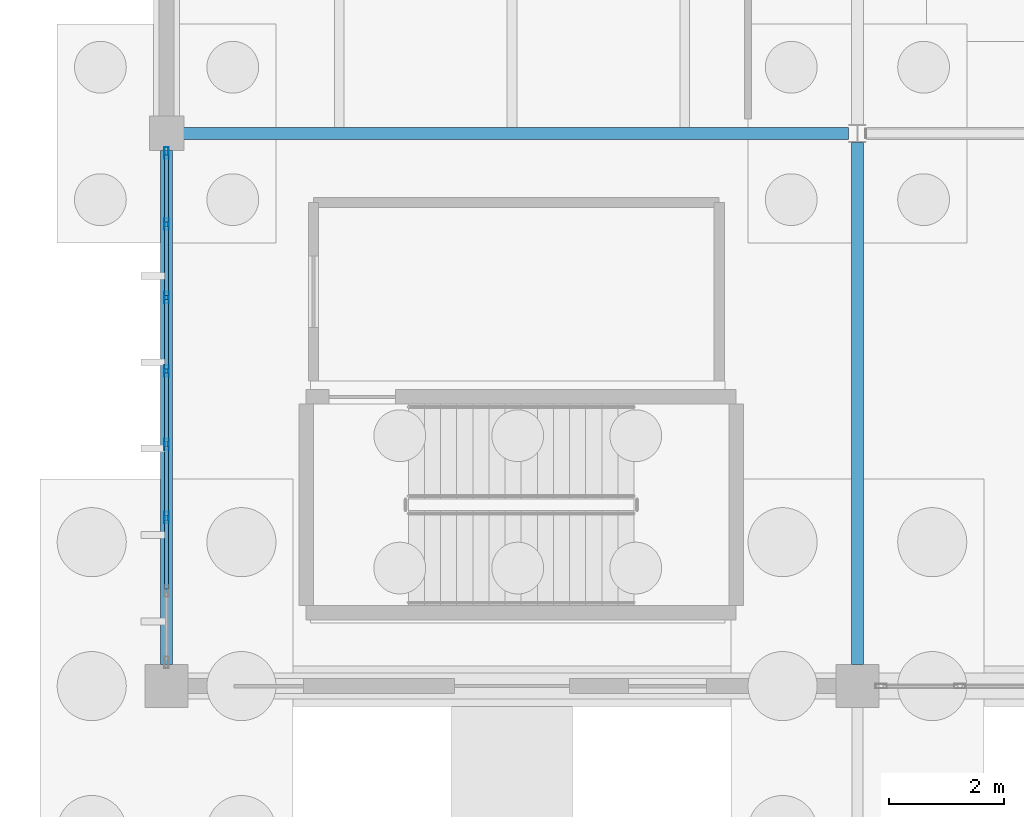
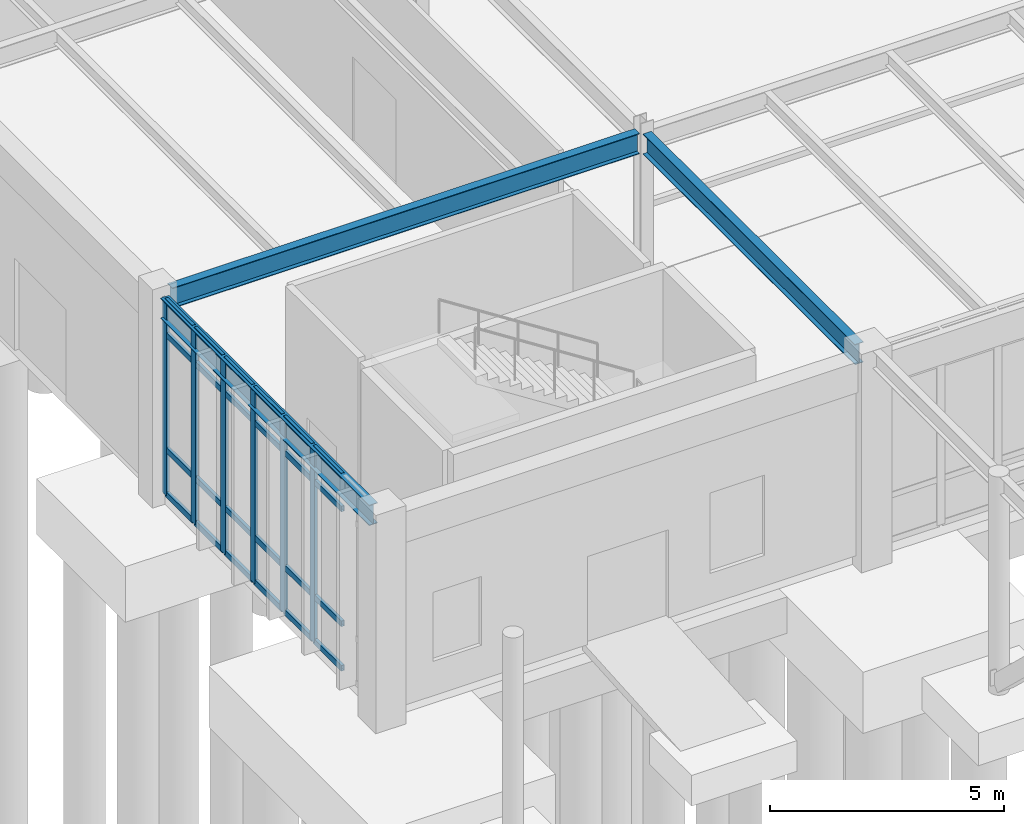
# One storey, part 48 of 188: 30 members, 3 beams, 1 element without a shape of its own.
"""IFC4 building model written with IfcOpenShell, lengths in metres."""

from ifc_helpers import new_model, si_unit, direction, frame, origin, origin_2d, place, context, subcontext, project, spatial, hollow_rectangle, i_section, extrude, material, layer, layer_set, material_profile, profile_set, type_object, element, aggregate, save


model = new_model("IFC4")

# Units and contexts
model_context = context("Model", 3, precision=1e-05, world=origin(), true_north=direction((0.0, 1.0)))
body_context = subcontext(model_context, "Body", "Model", "MODEL_VIEW")
ifc_project = project(units=[si_unit("LENGTHUNIT", "METRE"), si_unit("AREAUNIT", "SQUARE_METRE"), si_unit("VOLUMEUNIT", "CUBIC_METRE"), si_unit("PLANEANGLEUNIT", "RADIAN"), si_unit("MASSUNIT", "GRAM", prefix="KILO")], contexts=[model_context])

# Site, building, storey
site_placement = place(None, origin())
site = spatial("IfcSite", under=ifc_project, at=site_placement, CompositionType="ELEMENT")
building_placement = place(site_placement, origin())
building = spatial("IfcBuilding", under=site, at=building_placement, Name="Pandanus Reach Market Hall", CompositionType="ELEMENT")
storey_placement = place(building_placement, origin())
storey = spatial("IfcBuildingStorey", under=building, at=storey_placement, Name="L00", CompositionType="ELEMENT", Elevation=0.0)

# Beams
ifc_material_1 = material(Name="Steel Grade 350 (350 MPa)", Category="steel")
ifc_material_profile_1 = material_profile(ifc_material_1, i_section(OverallWidth=0.208984375, OverallDepth=0.532958984375, WebThickness=0.01025390625, FlangeThickness=0.015625, at=origin_2d()), Name="530UB92.4", Category="LoadBearing")
ifc_profile_set_1 = profile_set([ifc_material_profile_1], Name="Steel Grade 350 (350 MPa)")
beam_type = type_object("IfcBeamType", Name="BM-UB530-I", PredefinedType="BEAM", material=ifc_profile_set_1)
beam_1_placement = place(storey_placement, frame((48.298095703125, 38.39990234375, 4.85302734375), z_axis=(1.0, 0.0, 0.0), x_axis=(0.0, 1.0, 0.0)))
element("IfcBeam", 1, at=beam_1_placement, inside=storey, type_object=beam_type, Name="Framing beam BM-UB530-I L00.1045", PredefinedType="BEAM", context=body_context, shape_type="SweptSolid", body=[
    extrude(i_section(OverallWidth=0.208984375, OverallDepth=0.532958984375, WebThickness=0.01025390625, FlangeThickness=0.015625, at=origin_2d()), origin(), (0.0, 0.0, 1.0), 11.54638671875),
])
beam_2_placement = place(storey_placement, frame((48.0, 29.173095703125, 4.85302734375), z_axis=(0.0, 1.0, 0.0), x_axis=(-1.0, 0.0, 0.0)))
element("IfcBeam", 2, at=beam_2_placement, inside=storey, type_object=beam_type, Name="Framing beam BM-UB530-I L00.1066", PredefinedType="BEAM", context=body_context, shape_type="SweptSolid", body=[
    extrude(i_section(OverallWidth=0.208984375, OverallDepth=0.532958984375, WebThickness=0.01025390625, FlangeThickness=0.015625, at=origin_2d()), origin(), (0.0, 0.0, 1.0), 8.928955078125),
])
beam_3_placement = place(storey_placement, frame((60.0, 29.173095703125, 4.85302734375), z_axis=(0.0, 1.0, 0.0), x_axis=(-1.0, 0.0, 0.0)))
element("IfcBeam", 3, at=beam_3_placement, inside=storey, type_object=beam_type, Name="Framing beam BM-UB530-I L00.1068", PredefinedType="BEAM", context=body_context, shape_type="SweptSolid", body=[
    extrude(i_section(OverallWidth=0.208984375, OverallDepth=0.532958984375, WebThickness=0.01025390625, FlangeThickness=0.015625, at=origin_2d()), origin(), (0.0, 0.0, 1.0), 9.0712890625),
])

# Curtain wall, members
ifc_material_2 = material(Name="Bronze anodised aluminium and low-E glass", Category="aluminium")
ifc_layer = layer(ifc_material_2, 0.199951171875, Name="CW-03")
ifc_layer_set = layer_set([ifc_layer], Name="Bronze anodised aluminium and low-E glass")
curtain_wall_type = type_object("IfcCurtainWallType", Name="CW-03", PredefinedType="NOTDEFINED", material=ifc_layer_set)
curtain_wall_placement = place(storey_placement, origin())
curtain_wall = element("IfcCurtainWall", 4, at=curtain_wall_placement, inside=storey, type_object=curtain_wall_type, Name="Glazed curtain wall CW-03 CW-0018", PredefinedType="NOTDEFINED")
ifc_material_3 = material(Name="Bronze anodised aluminium", Category="aluminium")
ifc_material_profile_2 = material_profile(ifc_material_3, hollow_rectangle(XDim=0.074951171875, YDim=0.199951171875, WallThickness=0.00439453125, at=origin_2d()), Name="ALU75x200", Category="LoadBearing")
ifc_profile_set_2 = profile_set([ifc_material_profile_2], Name="Bronze anodised aluminium")
member_type_1 = type_object("IfcMemberType", Name="CW-M2", PredefinedType="MULLION", material=ifc_profile_set_2)
member_1_placement = place(storey_placement, frame((48.0, 31.72509765625, 0.0), z_axis=(0.0, 0.0, 1.0), x_axis=(-1.0, 0.0, 0.0)))
member_1 = element("IfcMember", 5, at=member_1_placement, type_object=member_type_1, Name="CW-03 mullion 3", PredefinedType="MULLION", context=body_context, shape_type="SweptSolid", body=[
    extrude(hollow_rectangle(XDim=0.074951171875, YDim=0.199951171875, WallThickness=0.00439453125, at=origin_2d()), origin(), (0.0, 0.0, 1.0), 5.10009765625),
])
member_2_placement = place(storey_placement, frame((48.0, 33.0, 0.0), z_axis=(0.0, 0.0, 1.0), x_axis=(-1.0, 0.0, 0.0)))
member_2 = element("IfcMember", 6, at=member_2_placement, type_object=member_type_1, Name="CW-03 mullion 4", PredefinedType="MULLION", context=body_context, shape_type="SweptSolid", body=[
    extrude(hollow_rectangle(XDim=0.074951171875, YDim=0.199951171875, WallThickness=0.00439453125, at=origin_2d()), origin(), (0.0, 0.0, 1.0), 5.10009765625),
])
member_3_placement = place(storey_placement, frame((48.0, 34.27490234375, 0.0), z_axis=(0.0, 0.0, 1.0), x_axis=(-1.0, 0.0, 0.0)))
member_3 = element("IfcMember", 7, at=member_3_placement, type_object=member_type_1, Name="CW-03 mullion 5", PredefinedType="MULLION", context=body_context, shape_type="SweptSolid", body=[
    extrude(hollow_rectangle(XDim=0.074951171875, YDim=0.199951171875, WallThickness=0.00439453125, at=origin_2d()), origin(), (0.0, 0.0, 1.0), 5.10009765625),
])
member_4_placement = place(storey_placement, frame((48.0, 35.550048828125, 0.0), z_axis=(0.0, 0.0, 1.0), x_axis=(-1.0, 0.0, 0.0)))
member_4 = element("IfcMember", 8, at=member_4_placement, type_object=member_type_1, Name="CW-03 mullion 6", PredefinedType="MULLION", context=body_context, shape_type="SweptSolid", body=[
    extrude(hollow_rectangle(XDim=0.074951171875, YDim=0.199951171875, WallThickness=0.00439453125, at=origin_2d()), origin(), (0.0, 0.0, 1.0), 5.10009765625),
])
member_5_placement = place(storey_placement, frame((48.0, 36.824951171875, 0.0), z_axis=(0.0, 0.0, 1.0), x_axis=(-1.0, 0.0, 0.0)))
member_5 = element("IfcMember", 9, at=member_5_placement, type_object=member_type_1, Name="CW-03 mullion 7", PredefinedType="MULLION", context=body_context, shape_type="SweptSolid", body=[
    extrude(hollow_rectangle(XDim=0.074951171875, YDim=0.199951171875, WallThickness=0.00439453125, at=origin_2d()), origin(), (0.0, 0.0, 1.0), 5.10009765625),
])
member_6_placement = place(storey_placement, frame((48.0, 38.0625, 0.0), z_axis=(0.0, 0.0, 1.0), x_axis=(-1.0, 0.0, 0.0)))
member_6 = element("IfcMember", 10, at=member_6_placement, type_object=member_type_1, Name="CW-03 mullion 8", PredefinedType="MULLION", context=body_context, shape_type="SweptSolid", body=[
    extrude(hollow_rectangle(XDim=0.074951171875, YDim=0.199951171875, WallThickness=0.00439453125, at=origin_2d()), origin(), (0.0, 0.0, 1.0), 5.10009765625),
])
ifc_material_profile_3 = material_profile(ifc_material_3, hollow_rectangle(XDim=0.074951171875, YDim=0.14990234375, WallThickness=0.00439453125, at=origin_2d()), Name="ALU75x150", Category="LoadBearing")
ifc_profile_set_3 = profile_set([ifc_material_profile_3], Name="Bronze anodised aluminium")
member_type_2 = type_object("IfcMemberType", Name="CW-T2", PredefinedType="USERDEFINED", material=ifc_profile_set_3)
member_7_placement = place(storey_placement, frame((48.0, 30.487548828125, 0.03759765625), z_axis=(0.0, 1.0, 0.0), x_axis=(-1.0, 0.0, 0.0)))
member_7 = element("IfcMember", 11, at=member_7_placement, type_object=member_type_2, Name="CW-03 transom 2.1", ObjectType="TRANSOM", PredefinedType="USERDEFINED", context=body_context, shape_type="SweptSolid", body=[
    extrude(hollow_rectangle(XDim=0.074951171875, YDim=0.14990234375, WallThickness=0.00439453125, at=origin_2d()), origin(), (0.0, 0.0, 1.0), 1.199951171875),
])
member_8_placement = place(storey_placement, frame((48.0, 30.487548828125, 1.199951171875), z_axis=(0.0, 1.0, 0.0), x_axis=(-1.0, 0.0, 0.0)))
member_8 = element("IfcMember", 12, at=member_8_placement, type_object=member_type_2, Name="CW-03 transom 2.2", ObjectType="TRANSOM", PredefinedType="USERDEFINED", context=body_context, shape_type="SweptSolid", body=[
    extrude(hollow_rectangle(XDim=0.074951171875, YDim=0.14990234375, WallThickness=0.00439453125, at=origin_2d()), origin(), (0.0, 0.0, 1.0), 1.199951171875),
])
member_9_placement = place(storey_placement, frame((48.0, 30.487548828125, 4.199951171875), z_axis=(0.0, 1.0, 0.0), x_axis=(-1.0, 0.0, 0.0)))
member_9 = element("IfcMember", 13, at=member_9_placement, type_object=member_type_2, Name="CW-03 transom 2.3", ObjectType="TRANSOM", PredefinedType="USERDEFINED", context=body_context, shape_type="SweptSolid", body=[
    extrude(hollow_rectangle(XDim=0.074951171875, YDim=0.14990234375, WallThickness=0.00439453125, at=origin_2d()), origin(), (0.0, 0.0, 1.0), 1.199951171875),
])
member_10_placement = place(storey_placement, frame((48.0, 30.487548828125, 5.0625), z_axis=(0.0, 1.0, 0.0), x_axis=(-1.0, 0.0, 0.0)))
member_10 = element("IfcMember", 14, at=member_10_placement, type_object=member_type_2, Name="CW-03 transom 2.4", ObjectType="TRANSOM", PredefinedType="USERDEFINED", context=body_context, shape_type="SweptSolid", body=[
    extrude(hollow_rectangle(XDim=0.074951171875, YDim=0.14990234375, WallThickness=0.00439453125, at=origin_2d()), origin(), (0.0, 0.0, 1.0), 1.199951171875),
])
member_11_placement = place(storey_placement, frame((48.0, 31.762451171875, 0.03759765625), z_axis=(0.0, 1.0, 0.0), x_axis=(-1.0, 0.0, 0.0)))
member_11 = element("IfcMember", 15, at=member_11_placement, type_object=member_type_2, Name="CW-03 transom 3.1", ObjectType="TRANSOM", PredefinedType="USERDEFINED", context=body_context, shape_type="SweptSolid", body=[
    extrude(hollow_rectangle(XDim=0.074951171875, YDim=0.14990234375, WallThickness=0.00439453125, at=origin_2d()), origin(), (0.0, 0.0, 1.0), 1.199951171875),
])
member_12_placement = place(storey_placement, frame((48.0, 31.762451171875, 1.199951171875), z_axis=(0.0, 1.0, 0.0), x_axis=(-1.0, 0.0, 0.0)))
member_12 = element("IfcMember", 16, at=member_12_placement, type_object=member_type_2, Name="CW-03 transom 3.2", ObjectType="TRANSOM", PredefinedType="USERDEFINED", context=body_context, shape_type="SweptSolid", body=[
    extrude(hollow_rectangle(XDim=0.074951171875, YDim=0.14990234375, WallThickness=0.00439453125, at=origin_2d()), origin(), (0.0, 0.0, 1.0), 1.199951171875),
])
member_13_placement = place(storey_placement, frame((48.0, 31.762451171875, 4.199951171875), z_axis=(0.0, 1.0, 0.0), x_axis=(-1.0, 0.0, 0.0)))
member_13 = element("IfcMember", 17, at=member_13_placement, type_object=member_type_2, Name="CW-03 transom 3.3", ObjectType="TRANSOM", PredefinedType="USERDEFINED", context=body_context, shape_type="SweptSolid", body=[
    extrude(hollow_rectangle(XDim=0.074951171875, YDim=0.14990234375, WallThickness=0.00439453125, at=origin_2d()), origin(), (0.0, 0.0, 1.0), 1.199951171875),
])
member_14_placement = place(storey_placement, frame((48.0, 31.762451171875, 5.0625), z_axis=(0.0, 1.0, 0.0), x_axis=(-1.0, 0.0, 0.0)))
member_14 = element("IfcMember", 18, at=member_14_placement, type_object=member_type_2, Name="CW-03 transom 3.4", ObjectType="TRANSOM", PredefinedType="USERDEFINED", context=body_context, shape_type="SweptSolid", body=[
    extrude(hollow_rectangle(XDim=0.074951171875, YDim=0.14990234375, WallThickness=0.00439453125, at=origin_2d()), origin(), (0.0, 0.0, 1.0), 1.199951171875),
])
member_15_placement = place(storey_placement, frame((48.0, 33.03759765625, 0.03759765625), z_axis=(0.0, 1.0, 0.0), x_axis=(-1.0, 0.0, 0.0)))
member_15 = element("IfcMember", 19, at=member_15_placement, type_object=member_type_2, Name="CW-03 transom 4.1", ObjectType="TRANSOM", PredefinedType="USERDEFINED", context=body_context, shape_type="SweptSolid", body=[
    extrude(hollow_rectangle(XDim=0.074951171875, YDim=0.14990234375, WallThickness=0.00439453125, at=origin_2d()), origin(), (0.0, 0.0, 1.0), 1.199951171875),
])
member_16_placement = place(storey_placement, frame((48.0, 33.03759765625, 1.199951171875), z_axis=(0.0, 1.0, 0.0), x_axis=(-1.0, 0.0, 0.0)))
member_16 = element("IfcMember", 20, at=member_16_placement, type_object=member_type_2, Name="CW-03 transom 4.2", ObjectType="TRANSOM", PredefinedType="USERDEFINED", context=body_context, shape_type="SweptSolid", body=[
    extrude(hollow_rectangle(XDim=0.074951171875, YDim=0.14990234375, WallThickness=0.00439453125, at=origin_2d()), origin(), (0.0, 0.0, 1.0), 1.199951171875),
])
member_17_placement = place(storey_placement, frame((48.0, 33.03759765625, 4.199951171875), z_axis=(0.0, 1.0, 0.0), x_axis=(-1.0, 0.0, 0.0)))
member_17 = element("IfcMember", 21, at=member_17_placement, type_object=member_type_2, Name="CW-03 transom 4.3", ObjectType="TRANSOM", PredefinedType="USERDEFINED", context=body_context, shape_type="SweptSolid", body=[
    extrude(hollow_rectangle(XDim=0.074951171875, YDim=0.14990234375, WallThickness=0.00439453125, at=origin_2d()), origin(), (0.0, 0.0, 1.0), 1.199951171875),
])
member_18_placement = place(storey_placement, frame((48.0, 33.03759765625, 5.0625), z_axis=(0.0, 1.0, 0.0), x_axis=(-1.0, 0.0, 0.0)))
member_18 = element("IfcMember", 22, at=member_18_placement, type_object=member_type_2, Name="CW-03 transom 4.4", ObjectType="TRANSOM", PredefinedType="USERDEFINED", context=body_context, shape_type="SweptSolid", body=[
    extrude(hollow_rectangle(XDim=0.074951171875, YDim=0.14990234375, WallThickness=0.00439453125, at=origin_2d()), origin(), (0.0, 0.0, 1.0), 1.199951171875),
])
member_19_placement = place(storey_placement, frame((48.0, 34.3125, 0.03759765625), z_axis=(0.0, 1.0, 0.0), x_axis=(-1.0, 0.0, 0.0)))
member_19 = element("IfcMember", 23, at=member_19_placement, type_object=member_type_2, Name="CW-03 transom 5.1", ObjectType="TRANSOM", PredefinedType="USERDEFINED", context=body_context, shape_type="SweptSolid", body=[
    extrude(hollow_rectangle(XDim=0.074951171875, YDim=0.14990234375, WallThickness=0.00439453125, at=origin_2d()), origin(), (0.0, 0.0, 1.0), 1.199951171875),
])
member_20_placement = place(storey_placement, frame((48.0, 34.3125, 1.199951171875), z_axis=(0.0, 1.0, 0.0), x_axis=(-1.0, 0.0, 0.0)))
member_20 = element("IfcMember", 24, at=member_20_placement, type_object=member_type_2, Name="CW-03 transom 5.2", ObjectType="TRANSOM", PredefinedType="USERDEFINED", context=body_context, shape_type="SweptSolid", body=[
    extrude(hollow_rectangle(XDim=0.074951171875, YDim=0.14990234375, WallThickness=0.00439453125, at=origin_2d()), origin(), (0.0, 0.0, 1.0), 1.199951171875),
])
member_21_placement = place(storey_placement, frame((48.0, 34.3125, 4.199951171875), z_axis=(0.0, 1.0, 0.0), x_axis=(-1.0, 0.0, 0.0)))
member_21 = element("IfcMember", 25, at=member_21_placement, type_object=member_type_2, Name="CW-03 transom 5.3", ObjectType="TRANSOM", PredefinedType="USERDEFINED", context=body_context, shape_type="SweptSolid", body=[
    extrude(hollow_rectangle(XDim=0.074951171875, YDim=0.14990234375, WallThickness=0.00439453125, at=origin_2d()), origin(), (0.0, 0.0, 1.0), 1.199951171875),
])
member_22_placement = place(storey_placement, frame((48.0, 34.3125, 5.0625), z_axis=(0.0, 1.0, 0.0), x_axis=(-1.0, 0.0, 0.0)))
member_22 = element("IfcMember", 26, at=member_22_placement, type_object=member_type_2, Name="CW-03 transom 5.4", ObjectType="TRANSOM", PredefinedType="USERDEFINED", context=body_context, shape_type="SweptSolid", body=[
    extrude(hollow_rectangle(XDim=0.074951171875, YDim=0.14990234375, WallThickness=0.00439453125, at=origin_2d()), origin(), (0.0, 0.0, 1.0), 1.199951171875),
])
member_23_placement = place(storey_placement, frame((48.0, 35.58740234375, 0.03759765625), z_axis=(0.0, 1.0, 0.0), x_axis=(-1.0, 0.0, 0.0)))
member_23 = element("IfcMember", 27, at=member_23_placement, type_object=member_type_2, Name="CW-03 transom 6.1", ObjectType="TRANSOM", PredefinedType="USERDEFINED", context=body_context, shape_type="SweptSolid", body=[
    extrude(hollow_rectangle(XDim=0.074951171875, YDim=0.14990234375, WallThickness=0.00439453125, at=origin_2d()), origin(), (0.0, 0.0, 1.0), 1.2001953125),
])
member_24_placement = place(storey_placement, frame((48.0, 35.58740234375, 1.199951171875), z_axis=(0.0, 1.0, 0.0), x_axis=(-1.0, 0.0, 0.0)))
member_24 = element("IfcMember", 28, at=member_24_placement, type_object=member_type_2, Name="CW-03 transom 6.2", ObjectType="TRANSOM", PredefinedType="USERDEFINED", context=body_context, shape_type="SweptSolid", body=[
    extrude(hollow_rectangle(XDim=0.074951171875, YDim=0.14990234375, WallThickness=0.00439453125, at=origin_2d()), origin(), (0.0, 0.0, 1.0), 1.2001953125),
])
member_25_placement = place(storey_placement, frame((48.0, 35.58740234375, 4.199951171875), z_axis=(0.0, 1.0, 0.0), x_axis=(-1.0, 0.0, 0.0)))
member_25 = element("IfcMember", 29, at=member_25_placement, type_object=member_type_2, Name="CW-03 transom 6.3", ObjectType="TRANSOM", PredefinedType="USERDEFINED", context=body_context, shape_type="SweptSolid", body=[
    extrude(hollow_rectangle(XDim=0.074951171875, YDim=0.14990234375, WallThickness=0.00439453125, at=origin_2d()), origin(), (0.0, 0.0, 1.0), 1.2001953125),
])
member_26_placement = place(storey_placement, frame((48.0, 35.58740234375, 5.0625), z_axis=(0.0, 1.0, 0.0), x_axis=(-1.0, 0.0, 0.0)))
member_26 = element("IfcMember", 30, at=member_26_placement, type_object=member_type_2, Name="CW-03 transom 6.4", ObjectType="TRANSOM", PredefinedType="USERDEFINED", context=body_context, shape_type="SweptSolid", body=[
    extrude(hollow_rectangle(XDim=0.074951171875, YDim=0.14990234375, WallThickness=0.00439453125, at=origin_2d()), origin(), (0.0, 0.0, 1.0), 1.2001953125),
])
member_27_placement = place(storey_placement, frame((48.0, 36.862548828125, 0.03759765625), z_axis=(0.0, 1.0, 0.0), x_axis=(-1.0, 0.0, 0.0)))
member_27 = element("IfcMember", 31, at=member_27_placement, type_object=member_type_2, Name="CW-03 transom 7.1", ObjectType="TRANSOM", PredefinedType="USERDEFINED", context=body_context, shape_type="SweptSolid", body=[
    extrude(hollow_rectangle(XDim=0.074951171875, YDim=0.14990234375, WallThickness=0.00439453125, at=origin_2d()), origin(), (0.0, 0.0, 1.0), 1.162353515625),
])
member_28_placement = place(storey_placement, frame((48.0, 36.862548828125, 1.199951171875), z_axis=(0.0, 1.0, 0.0), x_axis=(-1.0, 0.0, 0.0)))
member_28 = element("IfcMember", 32, at=member_28_placement, type_object=member_type_2, Name="CW-03 transom 7.2", ObjectType="TRANSOM", PredefinedType="USERDEFINED", context=body_context, shape_type="SweptSolid", body=[
    extrude(hollow_rectangle(XDim=0.074951171875, YDim=0.14990234375, WallThickness=0.00439453125, at=origin_2d()), origin(), (0.0, 0.0, 1.0), 1.162353515625),
])
member_29_placement = place(storey_placement, frame((48.0, 36.862548828125, 4.199951171875), z_axis=(0.0, 1.0, 0.0), x_axis=(-1.0, 0.0, 0.0)))
member_29 = element("IfcMember", 33, at=member_29_placement, type_object=member_type_2, Name="CW-03 transom 7.3", ObjectType="TRANSOM", PredefinedType="USERDEFINED", context=body_context, shape_type="SweptSolid", body=[
    extrude(hollow_rectangle(XDim=0.074951171875, YDim=0.14990234375, WallThickness=0.00439453125, at=origin_2d()), origin(), (0.0, 0.0, 1.0), 1.162353515625),
])
member_30_placement = place(storey_placement, frame((48.0, 36.862548828125, 5.0625), z_axis=(0.0, 1.0, 0.0), x_axis=(-1.0, 0.0, 0.0)))
member_30 = element("IfcMember", 34, at=member_30_placement, type_object=member_type_2, Name="CW-03 transom 7.4", ObjectType="TRANSOM", PredefinedType="USERDEFINED", context=body_context, shape_type="SweptSolid", body=[
    extrude(hollow_rectangle(XDim=0.074951171875, YDim=0.14990234375, WallThickness=0.00439453125, at=origin_2d()), origin(), (0.0, 0.0, 1.0), 1.162353515625),
])
aggregate(curtain_wall, [member_1, member_2, member_3, member_4, member_5, member_6, member_7, member_8, member_9, member_10, member_11, member_12, member_13, member_14, member_15, member_16, member_17, member_18, member_19, member_20, member_21, member_22, member_23, member_24, member_25, member_26, member_27, member_28, member_29, member_30])

save(model, "model.ifc")
